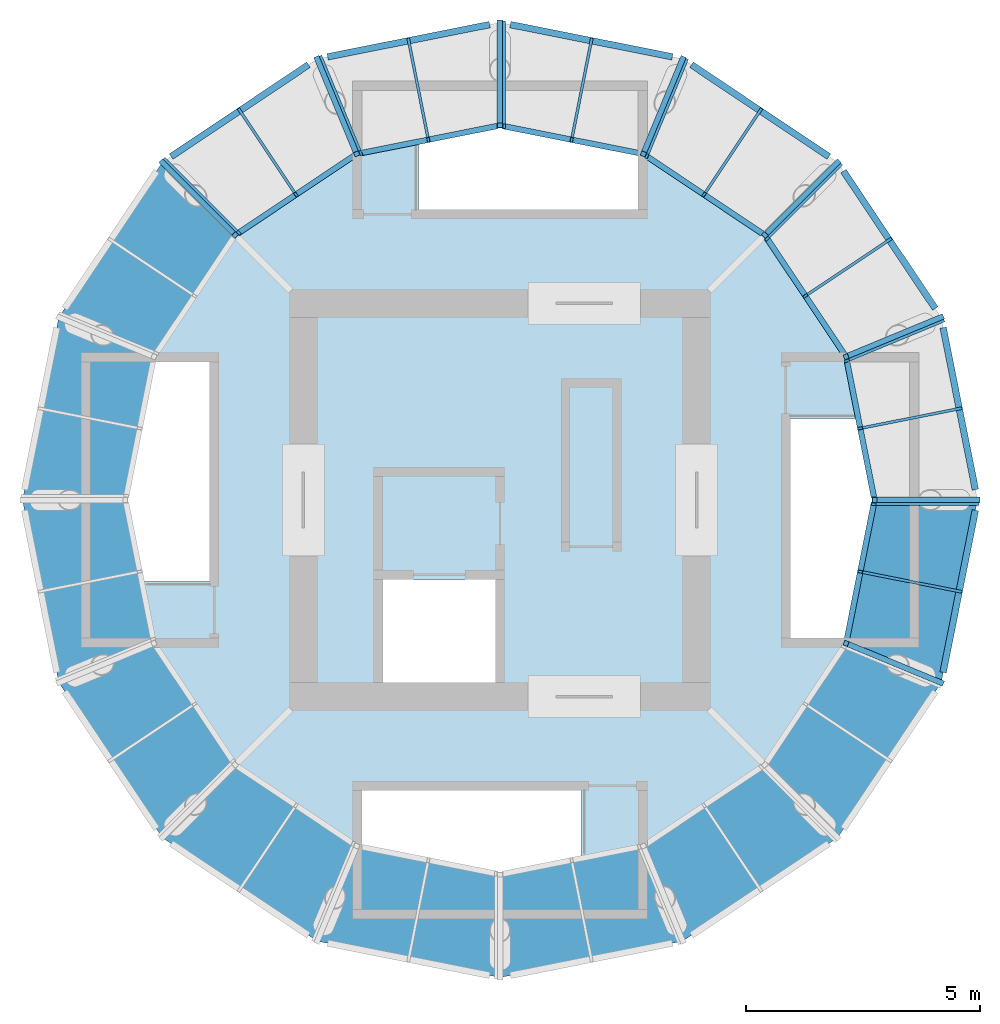
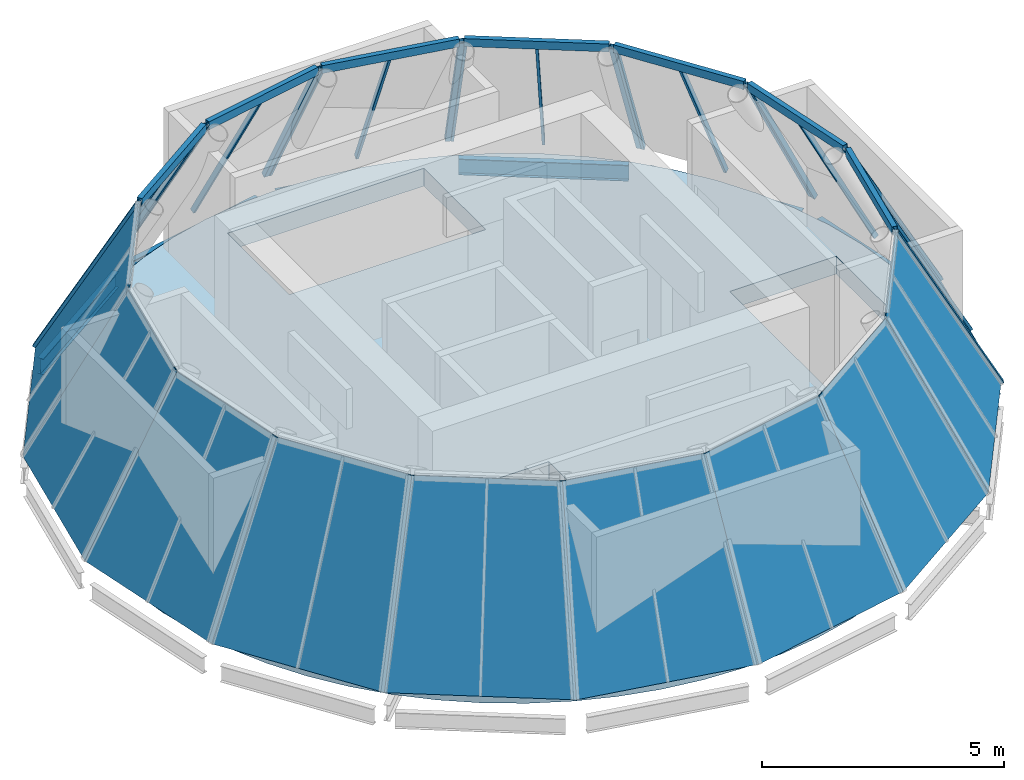
# One storey, part 2 of 4: 29 members, 10 plates, 7 beams, 1 slab, 16 elements without a shape of their own.
"""IFC4 building model written with IfcOpenShell, lengths in metres."""

from ifc_helpers import new_model, si_unit, direction, frame, origin, origin_2d, place, context, subcontext, project, spatial, polyline, hollow_rectangle, i_section, outline, extrude, material, layer, layer_set, material_profile, profile_set, type_object, element, aggregate, save


model = new_model("IFC4")

# Units and contexts
model_context = context("Model", 3, precision=1e-05, world=origin(), true_north=direction((0.0, 1.0)))
body_context = subcontext(model_context, "Body", "Model", "MODEL_VIEW")
ifc_project = project(units=[si_unit("LENGTHUNIT", "METRE"), si_unit("AREAUNIT", "SQUARE_METRE"), si_unit("VOLUMEUNIT", "CUBIC_METRE"), si_unit("PLANEANGLEUNIT", "RADIAN"), si_unit("MASSUNIT", "GRAM", prefix="KILO")], contexts=[model_context])

# Site, building, storey
site_placement = place(None, origin())
site = spatial("IfcSite", under=ifc_project, at=site_placement, CompositionType="ELEMENT")
building_placement = place(site_placement, origin())
building = spatial("IfcBuilding", under=site, at=building_placement, Name="Corvane Civic Tower", CompositionType="ELEMENT")
storey_placement = place(building_placement, frame((0.0, 0.0, 406.5)))
storey = spatial("IfcBuildingStorey", under=building, at=storey_placement, Name="L96", CompositionType="ELEMENT", Elevation=406.5)

# Curtain wall, members
ifc_material_1 = material(Name="Aluminium and glass", Category="aluminium")
curtain_wall_type = type_object("IfcCurtainWallType", Name="CROWN-CW-K-FACET", PredefinedType="NOTDEFINED", material=ifc_material_1)
curtain_wall_1_placement = place(storey_placement, origin())
curtain_wall_1 = element("IfcCurtainWall", 1, at=curtain_wall_1_placement, inside=storey, type_object=curtain_wall_type, Name="Glass cone facet 1 row 5", PredefinedType="NOTDEFINED")
ifc_material_2 = material(Name="Steel ASTM A500 Gr C", Category="steel")
ifc_material_profile_1 = material_profile(ifc_material_2, hollow_rectangle(XDim=0.06005859375, YDim=0.1201171875, WallThickness=0.0048828125, at=origin_2d()), Name="RHS 120x60x5")
ifc_profile_set_1 = profile_set([ifc_material_profile_1], Name="Steel ASTM A500 Gr C")
member_type_1 = type_object("IfcMemberType", Name="CROWN-CWK-MULLION-RHS120x60x5", PredefinedType="MULLION", material=ifc_profile_set_1)
member_1_placement = place(storey_placement, frame((-1.95166015625, 9.811767578125, 0.0), z_axis=(0.092610325998, -0.465630107742, 0.880120406696), x_axis=(0.980789012766, 0.195071557223, 0.0)))
member_1 = element("IfcMember", 2, at=member_1_placement, type_object=member_type_1, Name="Cone mullion 1.5M", PredefinedType="MULLION", context=body_context, shape_type="SweptSolid", body=[
    extrude(hollow_rectangle(XDim=0.06005859375, YDim=0.1201171875, WallThickness=0.0048828125, at=origin_2d()), origin(), (0.0, 0.0, 1.0), 4.544921875),
])
member_2_placement = place(storey_placement, frame((-3.81494140625, 9.441162109375, 0.0), z_axis=(0.184349241144, -0.445229890491, 0.876233816914), x_axis=(0.923931628801, 0.382557636574, 0.0)))
member_2 = element("IfcMember", 3, at=member_2_placement, type_object=member_type_1, Name="Cone mullion 1.5J", PredefinedType="MULLION", context=body_context, shape_type="SweptSolid", body=[
    extrude(hollow_rectangle(XDim=0.06005859375, YDim=0.1201171875, WallThickness=0.0048828125, at=origin_2d()), origin(), (0.0, 0.0, 1.0), 4.56494140625),
])

curtain_wall_2_placement = place(storey_placement, origin())
curtain_wall_2 = element("IfcCurtainWall", 4, at=curtain_wall_2_placement, inside=storey, type_object=curtain_wall_type, Name="Glass cone facet 2 row 5", PredefinedType="NOTDEFINED")
member_3_placement = place(storey_placement, frame((-5.557861328125, 8.318115234375, 0.0), z_axis=(0.263753171336, -0.394770276201, 0.880108341989), x_axis=(0.831492859823, 0.555535439071, 0.0)))
member_3 = element("IfcMember", 5, at=member_3_placement, type_object=member_type_1, Name="Cone mullion 2.5M", PredefinedType="MULLION", context=body_context, shape_type="SweptSolid", body=[
    extrude(hollow_rectangle(XDim=0.06005859375, YDim=0.1201171875, WallThickness=0.0048828125, at=origin_2d()), origin(), (0.0, 0.0, 1.0), 4.544921875),
])
member_4_placement = place(storey_placement, frame((-7.1376953125, 7.262451171875, 0.0), z_axis=(0.340820185373, -0.340766706606, 0.876196126966), x_axis=(0.707051297897, 0.707162260122, 0.0)))
member_4 = element("IfcMember", 6, at=member_4_placement, type_object=member_type_1, Name="Cone mullion 2.5J", PredefinedType="MULLION", context=body_context, shape_type="SweptSolid", body=[
    extrude(hollow_rectangle(XDim=0.06005859375, YDim=0.1201171875, WallThickness=0.0048828125, at=origin_2d()), origin(), (0.0, 0.0, 1.0), 4.565185546875),
])

curtain_wall_3_placement = place(storey_placement, origin())
curtain_wall_3 = element("IfcCurtainWall", 7, at=curtain_wall_3_placement, inside=storey, type_object=curtain_wall_type, Name="Glass cone facet 12 row 5", PredefinedType="NOTDEFINED")
member_5_placement = place(storey_placement, frame((9.811767578125, -1.95166015625, 0.0), z_axis=(-0.465630107742, 0.092610325998, 0.880120406696), x_axis=(-0.195071557223, -0.980789012766, 0.0)))
member_5 = element("IfcMember", 8, at=member_5_placement, type_object=member_type_1, Name="Cone mullion 12.5M", PredefinedType="MULLION", context=body_context, shape_type="SweptSolid", body=[
    extrude(hollow_rectangle(XDim=0.06005859375, YDim=0.1201171875, WallThickness=0.0048828125, at=origin_2d()), origin(), (0.0, 0.0, 1.0), 4.544921875),
])
member_6_placement = place(storey_placement, frame((10.182373046875, -0.08837890625, 0.0), z_axis=(-0.481910537812, 0.0, 0.876220425204), x_axis=(0.0, -1.0, 0.0)))
member_6 = element("IfcMember", 9, at=member_6_placement, type_object=member_type_1, Name="Cone mullion 12.5J", PredefinedType="MULLION", context=body_context, shape_type="SweptSolid", body=[
    extrude(hollow_rectangle(XDim=0.06005859375, YDim=0.1201171875, WallThickness=0.0048828125, at=origin_2d()), origin(), (0.0, 0.0, 1.0), 4.56494140625),
])

curtain_wall_4_placement = place(storey_placement, origin())
curtain_wall_4 = element("IfcCurtainWall", 10, at=curtain_wall_4_placement, inside=storey, type_object=curtain_wall_type, Name="Glass cone facet 13 row 5", PredefinedType="NOTDEFINED")
member_7_placement = place(storey_placement, frame((9.811767578125, 1.95166015625, 0.0), z_axis=(-0.465630107742, -0.092610325998, 0.880120406696), x_axis=(0.195071557223, -0.980789012766, 0.0)))
member_7 = element("IfcMember", 11, at=member_7_placement, type_object=member_type_1, Name="Cone mullion 13.5M", PredefinedType="MULLION", context=body_context, shape_type="SweptSolid", body=[
    extrude(hollow_rectangle(XDim=0.06005859375, YDim=0.1201171875, WallThickness=0.0048828125, at=origin_2d()), origin(), (0.0, 0.0, 1.0), 4.544921875),
])
member_8_placement = place(storey_placement, frame((9.441162109375, 3.81494140625, 0.0), z_axis=(-0.445229890491, -0.184349241144, 0.876233816914), x_axis=(0.382557636574, -0.923931628801, 0.0)))
member_8 = element("IfcMember", 12, at=member_8_placement, type_object=member_type_1, Name="Cone mullion 13.5J", PredefinedType="MULLION", context=body_context, shape_type="SweptSolid", body=[
    extrude(hollow_rectangle(XDim=0.06005859375, YDim=0.1201171875, WallThickness=0.0048828125, at=origin_2d()), origin(), (0.0, 0.0, 1.0), 4.56494140625),
])

curtain_wall_5_placement = place(storey_placement, origin())
curtain_wall_5 = element("IfcCurtainWall", 13, at=curtain_wall_5_placement, inside=storey, type_object=curtain_wall_type, Name="Glass cone facet 14 row 5", PredefinedType="NOTDEFINED")
member_9_placement = place(storey_placement, frame((8.318115234375, 5.557861328125, 0.0), z_axis=(-0.394770276201, -0.263753171336, 0.880108341989), x_axis=(0.555535439071, -0.831492859823, 0.0)))
member_9 = element("IfcMember", 14, at=member_9_placement, type_object=member_type_1, Name="Cone mullion 14.5M", PredefinedType="MULLION", context=body_context, shape_type="SweptSolid", body=[
    extrude(hollow_rectangle(XDim=0.06005859375, YDim=0.1201171875, WallThickness=0.0048828125, at=origin_2d()), origin(), (0.0, 0.0, 1.0), 4.544921875),
])
member_10_placement = place(storey_placement, frame((7.262451171875, 7.1376953125, 0.0), z_axis=(-0.340766706606, -0.340820185373, 0.876196126966), x_axis=(0.707162260122, -0.707051297897, 0.0)))
member_10 = element("IfcMember", 15, at=member_10_placement, type_object=member_type_1, Name="Cone mullion 14.5J", PredefinedType="MULLION", context=body_context, shape_type="SweptSolid", body=[
    extrude(hollow_rectangle(XDim=0.06005859375, YDim=0.1201171875, WallThickness=0.0048828125, at=origin_2d()), origin(), (0.0, 0.0, 1.0), 4.565185546875),
])

curtain_wall_6_placement = place(storey_placement, origin())
curtain_wall_6 = element("IfcCurtainWall", 16, at=curtain_wall_6_placement, inside=storey, type_object=curtain_wall_type, Name="Glass cone facet 15 row 5", PredefinedType="NOTDEFINED")
member_11_placement = place(storey_placement, frame((5.557861328125, 8.318115234375, 0.0), z_axis=(-0.263753171336, -0.394770276201, 0.880108341989), x_axis=(0.831492859823, -0.555535439071, 0.0)))
member_11 = element("IfcMember", 17, at=member_11_placement, type_object=member_type_1, Name="Cone mullion 15.5M", PredefinedType="MULLION", context=body_context, shape_type="SweptSolid", body=[
    extrude(hollow_rectangle(XDim=0.06005859375, YDim=0.1201171875, WallThickness=0.0048828125, at=origin_2d()), origin(), (0.0, 0.0, 1.0), 4.544921875),
])
member_12_placement = place(storey_placement, frame((3.978271484375, 9.37353515625, 0.0), z_axis=(-0.184400903913, -0.445225500311, 0.876225176829), x_axis=(0.923892397959, -0.38265237095, 0.0)))
member_12 = element("IfcMember", 18, at=member_12_placement, type_object=member_type_1, Name="Cone mullion 15.5J", PredefinedType="MULLION", context=body_context, shape_type="SweptSolid", body=[
    extrude(hollow_rectangle(XDim=0.06005859375, YDim=0.1201171875, WallThickness=0.0048828125, at=origin_2d()), origin(), (0.0, 0.0, 1.0), 4.56494140625),
])

curtain_wall_7_placement = place(storey_placement, origin())
curtain_wall_7 = element("IfcCurtainWall", 19, at=curtain_wall_7_placement, inside=storey, type_object=curtain_wall_type, Name="Glass cone facet 16 row 5", PredefinedType="NOTDEFINED")
member_13_placement = place(storey_placement, frame((1.95166015625, 9.811767578125, 0.0), z_axis=(-0.092610325998, -0.465630107742, 0.880120406696), x_axis=(0.980789012766, -0.195071557223, 0.0)))
member_13 = element("IfcMember", 20, at=member_13_placement, type_object=member_type_1, Name="Cone mullion 16.5M", PredefinedType="MULLION", context=body_context, shape_type="SweptSolid", body=[
    extrude(hollow_rectangle(XDim=0.06005859375, YDim=0.1201171875, WallThickness=0.0048828125, at=origin_2d()), origin(), (0.0, 0.0, 1.0), 4.544921875),
])
member_14_placement = place(storey_placement, frame((0.08837890625, 10.182373046875, 0.0), z_axis=(0.0, -0.481910537812, 0.876220425204), x_axis=(1.0, 0.0, 0.0)))
member_14 = element("IfcMember", 21, at=member_14_placement, type_object=member_type_1, Name="Cone mullion 16.5J", PredefinedType="MULLION", context=body_context, shape_type="SweptSolid", body=[
    extrude(hollow_rectangle(XDim=0.06005859375, YDim=0.1201171875, WallThickness=0.0048828125, at=origin_2d()), origin(), (0.0, 0.0, 1.0), 4.56494140625),
])

# Member
ifc_material_3 = material(Name="Steel ASTM A500 Gr C", Category="steel")
ifc_material_profile_2 = material_profile(ifc_material_3, hollow_rectangle(XDim=0.1201171875, YDim=0.1201171875, WallThickness=0.006103515625, at=origin_2d()), Name="RHS 120x120x6")
ifc_profile_set_2 = profile_set([ifc_material_profile_2], Name="Steel ASTM A500 Gr C")
member_type_2 = type_object("IfcMemberType", Name="CROWN-CWK-RIB-RHS120x120x6", PredefinedType="MULLION", material=ifc_profile_set_2)
member_15_placement = place(storey_placement, frame((0.0, 10.199951171875, 0.0), z_axis=(0.0, -0.481910537812, 0.876220425204), x_axis=(1.0, 0.0, 0.0)))
member_15 = element("IfcMember", 22, at=member_15_placement, type_object=member_type_2, Name="Cone rib 1.5", PredefinedType="MULLION", context=body_context, shape_type="SweptSolid", body=[
    extrude(hollow_rectangle(XDim=0.1201171875, YDim=0.1201171875, WallThickness=0.006103515625, at=origin_2d()), origin(), (0.0, 0.0, 1.0), 4.56494140625),
])

member_16_placement = place(storey_placement, frame((-3.9033203125, 9.423583984375, 0.0), z_axis=(0.184400903913, -0.445225500311, 0.876225176829), x_axis=(0.923892397959, 0.38265237095, 0.0)))
member_16 = element("IfcMember", 23, at=member_16_placement, type_object=member_type_2, Name="Cone rib 2.5", PredefinedType="MULLION", context=body_context, shape_type="SweptSolid", body=[
    extrude(hollow_rectangle(XDim=0.1201171875, YDim=0.1201171875, WallThickness=0.006103515625, at=origin_2d()), origin(), (0.0, 0.0, 1.0), 4.56494140625),
])

# Curtain wall, member
curtain_wall_8_placement = place(storey_placement, origin())
curtain_wall_8 = element("IfcCurtainWall", 24, at=curtain_wall_8_placement, inside=storey, type_object=curtain_wall_type, Name="Glass cone facet 3 row 5", PredefinedType="NOTDEFINED")
member_17_placement = place(storey_placement, frame((-7.21240234375, 7.21240234375, 0.0), z_axis=(0.340772917322, -0.340772917322, 0.876212096264), x_axis=(0.707106781187, 0.707106781187, 0.0)))
member_17 = element("IfcMember", 25, at=member_17_placement, type_object=member_type_2, Name="Cone rib 3.5", PredefinedType="MULLION", context=body_context, shape_type="SweptSolid", body=[
    extrude(hollow_rectangle(XDim=0.1201171875, YDim=0.1201171875, WallThickness=0.006103515625, at=origin_2d()), origin(), (0.0, 0.0, 1.0), 4.565185546875),
])

# Member
member_18_placement = place(storey_placement, frame((9.423583984375, -3.9033203125, 0.0), z_axis=(-0.445225500311, 0.184400903913, 0.876225176829), x_axis=(-0.38265237095, -0.923892397959, 0.0)))
member_18 = element("IfcMember", 26, at=member_18_placement, type_object=member_type_2, Name="Cone rib 12.5", PredefinedType="MULLION", context=body_context, shape_type="SweptSolid", body=[
    extrude(hollow_rectangle(XDim=0.1201171875, YDim=0.1201171875, WallThickness=0.006103515625, at=origin_2d()), origin(), (0.0, 0.0, 1.0), 4.56494140625),
])

member_19_placement = place(storey_placement, frame((10.199951171875, 0.0, 0.0), z_axis=(-0.481910537812, 0.0, 0.876220425204), x_axis=(0.0, -1.0, 0.0)))
member_19 = element("IfcMember", 27, at=member_19_placement, type_object=member_type_2, Name="Cone rib 13.5", PredefinedType="MULLION", context=body_context, shape_type="SweptSolid", body=[
    extrude(hollow_rectangle(XDim=0.1201171875, YDim=0.1201171875, WallThickness=0.006103515625, at=origin_2d()), origin(), (0.0, 0.0, 1.0), 4.56494140625),
])

member_20_placement = place(storey_placement, frame((9.423583984375, 3.9033203125, 0.0), z_axis=(-0.445225500311, -0.184400903913, 0.876225176829), x_axis=(0.38265237095, -0.923892397959, 0.0)))
member_20 = element("IfcMember", 28, at=member_20_placement, type_object=member_type_2, Name="Cone rib 14.5", PredefinedType="MULLION", context=body_context, shape_type="SweptSolid", body=[
    extrude(hollow_rectangle(XDim=0.1201171875, YDim=0.1201171875, WallThickness=0.006103515625, at=origin_2d()), origin(), (0.0, 0.0, 1.0), 4.56494140625),
])

member_21_placement = place(storey_placement, frame((7.21240234375, 7.21240234375, 0.0), z_axis=(-0.340772917322, -0.340772917322, 0.876212096264), x_axis=(0.707106781187, -0.707106781187, 0.0)))
member_21 = element("IfcMember", 29, at=member_21_placement, type_object=member_type_2, Name="Cone rib 15.5", PredefinedType="MULLION", context=body_context, shape_type="SweptSolid", body=[
    extrude(hollow_rectangle(XDim=0.1201171875, YDim=0.1201171875, WallThickness=0.006103515625, at=origin_2d()), origin(), (0.0, 0.0, 1.0), 4.565185546875),
])

member_22_placement = place(storey_placement, frame((3.9033203125, 9.423583984375, 0.0), z_axis=(-0.184400903913, -0.445225500311, 0.876225176829), x_axis=(0.923892397959, -0.38265237095, 0.0)))
member_22 = element("IfcMember", 30, at=member_22_placement, type_object=member_type_2, Name="Cone rib 16.5", PredefinedType="MULLION", context=body_context, shape_type="SweptSolid", body=[
    extrude(hollow_rectangle(XDim=0.1201171875, YDim=0.1201171875, WallThickness=0.006103515625, at=origin_2d()), origin(), (0.0, 0.0, 1.0), 4.56494140625),
])

ifc_material_4 = material(Name="Steel ASTM A500 Gr C", Category="steel")
ifc_material_profile_3 = material_profile(ifc_material_4, hollow_rectangle(XDim=0.1201171875, YDim=0.199951171875, WallThickness=0.006103515625, at=origin_2d()), Name="RHS 200x120x6")
ifc_profile_set_3 = profile_set([ifc_material_profile_3], Name="Steel ASTM A500 Gr C")
member_type_3 = type_object("IfcMemberType", Name="CROWN-CWK-RING-RHS200x120x6", PredefinedType="USERDEFINED", material=ifc_profile_set_3)
member_23_placement = place(storey_placement, frame((-0.058837890625, 7.98828125, 4.0), z_axis=(-0.980792833114, -0.195052348135, 0.0), x_axis=(0.195052348135, -0.980792833114, 0.0)))
member_23 = element("IfcMember", 31, at=member_23_placement, type_object=member_type_3, Name="Cone ring member 1.5", ObjectType="TRANSOM", PredefinedType="USERDEFINED", context=body_context, shape_type="SweptSolid", body=[
    extrude(hollow_rectangle(XDim=0.1201171875, YDim=0.199951171875, WallThickness=0.006103515625, at=origin_2d()), origin(), (0.0, 0.0, 1.0), 3.00146484375),
])

aggregate(curtain_wall_1, [member_15, member_23, member_1, member_2])

member_24_placement = place(storey_placement, frame((-3.111328125, 7.35791015625, 4.0), z_axis=(-0.831436622917, -0.555619601951, 0.0), x_axis=(0.555619601951, -0.831436622917, 0.0)))
member_24 = element("IfcMember", 32, at=member_24_placement, type_object=member_type_3, Name="Cone ring member 2.5", ObjectType="TRANSOM", PredefinedType="USERDEFINED", context=body_context, shape_type="SweptSolid", body=[
    extrude(hollow_rectangle(XDim=0.1201171875, YDim=0.199951171875, WallThickness=0.006103515625, at=origin_2d()), origin(), (0.0, 0.0, 1.0), 3.00146484375),
])

aggregate(curtain_wall_2, [member_16, member_24, member_3, member_4])

member_25_placement = place(storey_placement, frame((7.40283203125, -3.002685546875, 4.0), z_axis=(0.195052348135, 0.980792833114, 0.0), x_axis=(-0.980792833114, 0.195052348135, 0.0)))
member_25 = element("IfcMember", 33, at=member_25_placement, type_object=member_type_3, Name="Cone ring member 12.5", ObjectType="TRANSOM", PredefinedType="USERDEFINED", context=body_context, shape_type="SweptSolid", body=[
    extrude(hollow_rectangle(XDim=0.1201171875, YDim=0.199951171875, WallThickness=0.006103515625, at=origin_2d()), origin(), (0.0, 0.0, 1.0), 3.00146484375),
])

member_26_placement = place(storey_placement, frame((7.98828125, 0.058837890625, 4.0), z_axis=(-0.195052348135, 0.980792833114, 0.0), x_axis=(-0.980792833114, -0.195052348135, 0.0)))
member_26 = element("IfcMember", 34, at=member_26_placement, type_object=member_type_3, Name="Cone ring member 13.5", ObjectType="TRANSOM", PredefinedType="USERDEFINED", context=body_context, shape_type="SweptSolid", body=[
    extrude(hollow_rectangle(XDim=0.1201171875, YDim=0.199951171875, WallThickness=0.006103515625, at=origin_2d()), origin(), (0.0, 0.0, 1.0), 3.00146484375),
])

aggregate(curtain_wall_4, [member_19, member_26, member_7, member_8])

member_27_placement = place(storey_placement, frame((7.35791015625, 3.111328125, 4.0), z_axis=(-0.555619601951, 0.831436622917, 0.0), x_axis=(-0.831436622917, -0.555619601951, 0.0)))
member_27 = element("IfcMember", 35, at=member_27_placement, type_object=member_type_3, Name="Cone ring member 14.5", ObjectType="TRANSOM", PredefinedType="USERDEFINED", context=body_context, shape_type="SweptSolid", body=[
    extrude(hollow_rectangle(XDim=0.1201171875, YDim=0.199951171875, WallThickness=0.006103515625, at=origin_2d()), origin(), (0.0, 0.0, 1.0), 3.00146484375),
])

aggregate(curtain_wall_5, [member_20, member_27, member_9, member_10])

member_28_placement = place(storey_placement, frame((5.60693359375, 5.690185546875, 4.0), z_axis=(-0.831436622917, 0.555619601951, 0.0), x_axis=(-0.555619601951, -0.831436622917, 0.0)))
member_28 = element("IfcMember", 36, at=member_28_placement, type_object=member_type_3, Name="Cone ring member 15.5", ObjectType="TRANSOM", PredefinedType="USERDEFINED", context=body_context, shape_type="SweptSolid", body=[
    extrude(hollow_rectangle(XDim=0.1201171875, YDim=0.199951171875, WallThickness=0.006103515625, at=origin_2d()), origin(), (0.0, 0.0, 1.0), 3.00146484375),
])

aggregate(curtain_wall_6, [member_21, member_28, member_11, member_12])

member_29_placement = place(storey_placement, frame((3.002685546875, 7.40283203125, 4.0), z_axis=(-0.980792833114, 0.195052348135, 0.0), x_axis=(-0.195052348135, -0.980792833114, 0.0)))
member_29 = element("IfcMember", 37, at=member_29_placement, type_object=member_type_3, Name="Cone ring member 16.5", ObjectType="TRANSOM", PredefinedType="USERDEFINED", context=body_context, shape_type="SweptSolid", body=[
    extrude(hollow_rectangle(XDim=0.1201171875, YDim=0.199951171875, WallThickness=0.006103515625, at=origin_2d()), origin(), (0.0, 0.0, 1.0), 3.00146484375),
])

aggregate(curtain_wall_7, [member_22, member_29, member_13, member_14])

# Beams
ifc_material_5 = material(Name="Steel ASTM A992 Gr 50", Category="steel")
ifc_material_profile_4 = material_profile(ifc_material_5, i_section(OverallWidth=0.140380859375, OverallDepth=0.40380859375, WebThickness=0.007080078125, FlangeThickness=0.01123046875, at=origin_2d()), Name="W16X31")
ifc_profile_set_4 = profile_set([ifc_material_profile_4], Name="Steel ASTM A992 Gr 50")
beam_type = type_object("IfcBeamType", Name="EDGE BEAM W16X31", PredefinedType="BEAM", material=ifc_profile_set_4)
for number, where, z_axis, x_axis, name in (
    (38, (0.220703125, 10.15380859375, -0.65185546875), (0.980785024027, -0.195091610902, 0.0), (0.195091610902, 0.980785024027, 0.0), "BM-L96-E01"),
    (39, (4.089599609375, 9.29638671875, -0.65185546875), (0.831496425532, -0.55553010209, 0.0), (0.55553010209, 0.831496425532, 0.0), "BM-L96-E02"),
    (40, (7.3359375, 7.02392578125, -0.65185546875), (0.55553010209, -0.831496425532, 0.0), (0.831496425532, 0.55553010209, 0.0), "BM-L96-E03"),
    (41, (9.46533203125, 3.681884765625, -0.65185546875), (0.195091610902, -0.980785024027, 0.0), (0.980785024027, 0.195091610902, 0.0), "BM-L96-E04"),
    (42, (10.15380859375, -0.220703125, -0.65185546875), (-0.195091610902, -0.980785024027, 0.0), (0.980785024027, -0.195091610902, 0.0), "BM-L96-E05"),
    (43, (-7.02392578125, 7.3359375, -0.65185546875), (0.831496425532, 0.55553010209, 0.0), (-0.55553010209, 0.831496425532, 0.0), "BM-L96-E15"),
    (44, (-3.681884765625, 9.46533203125, -0.65185546875), (0.980785024027, 0.195091610902, 0.0), (-0.195091610902, 0.980785024027, 0.0), "BM-L96-E16"),
):
    element("IfcBeam", number, at=place(storey_placement, frame(where, z_axis=z_axis, x_axis=x_axis)), inside=storey, type_object=beam_type, Name=name, PredefinedType="BEAM", context=body_context, shape_type="SweptSolid", body=[
        extrude(i_section(OverallWidth=0.140380859375, OverallDepth=0.40380859375, WebThickness=0.007080078125, FlangeThickness=0.01123046875, at=origin_2d()), origin(), (0.0, 0.0, 1.0), 3.529052734375),
    ])

# Plate
ifc_material_6 = material(Name="Glass tinted low-e laminated", Category="glass")
ifc_layer_1 = layer(ifc_material_6, 0.030029296875)
ifc_layer_set_1 = layer_set([ifc_layer_1], Name="Glass tinted low-e laminated")
plate_type = type_object("IfcPlateType", Name="CROWN-CWK-PANEL-IGU30", PredefinedType="CURTAIN_PANEL", material=ifc_layer_set_1)
plate_1_placement = place(storey_placement, frame((-7.21240234375, 7.21240234375, 0.0), z_axis=(-0.731770546437, 0.488986719081, 0.474767159701), x_axis=(-0.555595321517, -0.831452848154, 2.334333e-06)))
plate_1 = element("IfcPlate", 45, at=plate_1_placement, type_object=plate_type, Name="Cone glass panel 3.5", PredefinedType="CURTAIN_PANEL", context=body_context, shape_type="SweptSolid", body=[
    extrude(outline(polyline([(0.0, 0.0), (3.9798678542127224, 3.3306690738754696e-16), (3.5507633784730603, 4.544869588841189), (0.42915097789219697, 4.544888424207931), (0.0, 0.0)])), origin(), (0.0, 0.0, -1.0), 0.030029296875),
])

aggregate(curtain_wall_8, [member_17, plate_1])

# Curtain wall, plate
curtain_wall_9_placement = place(storey_placement, origin())
curtain_wall_9 = element("IfcCurtainWall", 46, at=curtain_wall_9_placement, inside=storey, type_object=curtain_wall_type, Name="Glass cone facet 4 row 5", PredefinedType="NOTDEFINED")
plate_2_placement = place(storey_placement, frame((-9.423583984375, 3.9033203125, 0.0), z_axis=(-0.863212451514, 0.171686323959, 0.474750534194), x_axis=(-0.195072862946, -0.980788753063, -2.756509e-06)))
plate_2 = element("IfcPlate", 47, at=plate_2_placement, type_object=plate_type, Name="Cone glass panel 4.5", PredefinedType="CURTAIN_PANEL", context=body_context, shape_type="SweptSolid", body=[
    extrude(outline(polyline([(0.0, 0.0), (3.9797808320644745, -5.551115123125783e-17), (3.5506190325877, 4.544843815574974), (0.429134002413225, 4.544821574634152), (0.0, 0.0)])), origin(), (0.0, 0.0, -1.0), 0.030029296875),
])
aggregate(curtain_wall_9, [plate_2])

curtain_wall_10_placement = place(storey_placement, origin())
curtain_wall_10 = element("IfcCurtainWall", 48, at=curtain_wall_10_placement, inside=storey, type_object=curtain_wall_type, Name="Glass cone facet 5 row 5", PredefinedType="NOTDEFINED")
plate_3_placement = place(storey_placement, frame((-10.199951171875, 0.0, 0.0), z_axis=(-0.863212451514, -0.171686323959, 0.474750534194), x_axis=(0.195072862946, -0.980788753063, 2.756509e-06)))
plate_3 = element("IfcPlate", 49, at=plate_3_placement, type_object=plate_type, Name="Cone glass panel 5.5", PredefinedType="CURTAIN_PANEL", context=body_context, shape_type="SweptSolid", body=[
    extrude(outline(polyline([(0.0, 0.0), (3.9797808320644745, 5.551115123125783e-17), (3.55064682965125, 4.544821574634152), (0.42916179947677474, 4.544843815574974), (0.0, 0.0)])), origin(), (0.0, 0.0, -1.0), 0.030029296875),
])
aggregate(curtain_wall_10, [plate_3])

curtain_wall_11_placement = place(storey_placement, origin())
curtain_wall_11 = element("IfcCurtainWall", 50, at=curtain_wall_11_placement, inside=storey, type_object=curtain_wall_type, Name="Glass cone facet 6 row 5", PredefinedType="NOTDEFINED")
plate_4_placement = place(storey_placement, frame((-9.423583984375, -3.9033203125, 0.0), z_axis=(-0.731788126889, -0.488988427495, 0.47473830172), x_axis=(0.555589213303, -0.831456929768, 1.628489e-06)))
plate_4 = element("IfcPlate", 51, at=plate_4_placement, type_object=plate_type, Name="Cone glass panel 6.5", PredefinedType="CURTAIN_PANEL", context=body_context, shape_type="SweptSolid", body=[
    extrude(outline(polyline([(0.0, 0.0), (3.9798678542374133, -1.1102230246251565e-16), (3.550581233787865, 4.54479205311269), (0.4293074677913615, 4.544805192275395), (0.0, 0.0)])), origin(), (0.0, 0.0, -1.0), 0.030029296875),
])
aggregate(curtain_wall_11, [plate_4])

curtain_wall_12_placement = place(storey_placement, origin())
curtain_wall_12 = element("IfcCurtainWall", 52, at=curtain_wall_12_placement, inside=storey, type_object=curtain_wall_type, Name="Glass cone facet 7 row 5", PredefinedType="NOTDEFINED")
plate_5_placement = place(storey_placement, frame((-7.21240234375, -7.21240234375, 0.0), z_axis=(-0.488986719081, -0.731770546437, 0.474767159701), x_axis=(0.831452848154, -0.555595321517, 2.334333e-06)))
plate_5 = element("IfcPlate", 53, at=plate_5_placement, type_object=plate_type, Name="Cone glass panel 7.5", PredefinedType="CURTAIN_PANEL", context=body_context, shape_type="SweptSolid", body=[
    extrude(outline(polyline([(0.0, 0.0), (3.9798678542127224, 3.3306690738754696e-16), (3.5507633784730603, 4.544869588841189), (0.42915097789219697, 4.544888424207931), (0.0, 0.0)])), origin(), (0.0, 0.0, -1.0), 0.030029296875),
])
aggregate(curtain_wall_12, [plate_5])

curtain_wall_13_placement = place(storey_placement, origin())
curtain_wall_13 = element("IfcCurtainWall", 54, at=curtain_wall_13_placement, inside=storey, type_object=curtain_wall_type, Name="Glass cone facet 8 row 5", PredefinedType="NOTDEFINED")
plate_6_placement = place(storey_placement, frame((-3.9033203125, -9.423583984375, 0.0), z_axis=(-0.171686323959, -0.863212451514, 0.474750534194), x_axis=(0.980788753063, -0.195072862946, -2.756509e-06)))
plate_6 = element("IfcPlate", 55, at=plate_6_placement, type_object=plate_type, Name="Cone glass panel 8.5", PredefinedType="CURTAIN_PANEL", context=body_context, shape_type="SweptSolid", body=[
    extrude(outline(polyline([(0.0, 0.0), (3.9797808320644745, -5.551115123125783e-17), (3.5506190325877, 4.544843815574974), (0.429134002413225, 4.544821574634152), (0.0, 0.0)])), origin(), (0.0, 0.0, -1.0), 0.030029296875),
])
aggregate(curtain_wall_13, [plate_6])

curtain_wall_14_placement = place(storey_placement, origin())
curtain_wall_14 = element("IfcCurtainWall", 56, at=curtain_wall_14_placement, inside=storey, type_object=curtain_wall_type, Name="Glass cone facet 9 row 5", PredefinedType="NOTDEFINED")
plate_7_placement = place(storey_placement, frame((0.0, -10.199951171875, 0.0), z_axis=(0.171686323959, -0.863212451514, 0.474750534194), x_axis=(0.980788753063, 0.195072862946, 2.756509e-06)))
plate_7 = element("IfcPlate", 57, at=plate_7_placement, type_object=plate_type, Name="Cone glass panel 9.5", PredefinedType="CURTAIN_PANEL", context=body_context, shape_type="SweptSolid", body=[
    extrude(outline(polyline([(0.0, 0.0), (3.9797808320644745, 5.551115123125783e-17), (3.55064682965125, 4.544821574634152), (0.42916179947677474, 4.544843815574974), (0.0, 0.0)])), origin(), (0.0, 0.0, -1.0), 0.030029296875),
])
aggregate(curtain_wall_14, [plate_7])

curtain_wall_15_placement = place(storey_placement, origin())
curtain_wall_15 = element("IfcCurtainWall", 58, at=curtain_wall_15_placement, inside=storey, type_object=curtain_wall_type, Name="Glass cone facet 10 row 5", PredefinedType="NOTDEFINED")
plate_8_placement = place(storey_placement, frame((3.9033203125, -9.423583984375, 0.0), z_axis=(0.488988427495, -0.731788126889, 0.47473830172), x_axis=(0.831456929768, 0.555589213303, 1.628489e-06)))
plate_8 = element("IfcPlate", 59, at=plate_8_placement, type_object=plate_type, Name="Cone glass panel 10.5", PredefinedType="CURTAIN_PANEL", context=body_context, shape_type="SweptSolid", body=[
    extrude(outline(polyline([(0.0, 0.0), (3.9798678542374133, -1.1102230246251565e-16), (3.550581233787865, 4.54479205311269), (0.4293074677913615, 4.544805192275395), (0.0, 0.0)])), origin(), (0.0, 0.0, -1.0), 0.030029296875),
])
aggregate(curtain_wall_15, [plate_8])

curtain_wall_16_placement = place(storey_placement, origin())
curtain_wall_16 = element("IfcCurtainWall", 60, at=curtain_wall_16_placement, inside=storey, type_object=curtain_wall_type, Name="Glass cone facet 11 row 5", PredefinedType="NOTDEFINED")
plate_9_placement = place(storey_placement, frame((7.21240234375, -7.21240234375, 0.0), z_axis=(0.731770546437, -0.488986719081, 0.474767159701), x_axis=(0.555595321517, 0.831452848154, 2.334333e-06)))
plate_9 = element("IfcPlate", 61, at=plate_9_placement, type_object=plate_type, Name="Cone glass panel 11.5", PredefinedType="CURTAIN_PANEL", context=body_context, shape_type="SweptSolid", body=[
    extrude(outline(polyline([(0.0, 0.0), (3.9798678542127224, 3.3306690738754696e-16), (3.5507633784730603, 4.544869588841189), (0.42915097789219697, 4.544888424207931), (0.0, 0.0)])), origin(), (0.0, 0.0, -1.0), 0.030029296875),
])
aggregate(curtain_wall_16, [plate_9])

# Plate
plate_10_placement = place(storey_placement, frame((9.423583984375, -3.9033203125, 0.0), z_axis=(0.863212451514, -0.171686323959, 0.474750534194), x_axis=(0.195072862946, 0.980788753063, -2.756509e-06)))
plate_10 = element("IfcPlate", 62, at=plate_10_placement, type_object=plate_type, Name="Cone glass panel 12.5", PredefinedType="CURTAIN_PANEL", context=body_context, shape_type="SweptSolid", body=[
    extrude(outline(polyline([(0.0, 0.0), (3.9797808320644745, -5.551115123125783e-17), (3.5506190325877, 4.544843815574974), (0.429134002413225, 4.544821574634152), (0.0, 0.0)])), origin(), (0.0, 0.0, -1.0), 0.030029296875),
])

aggregate(curtain_wall_3, [member_18, member_25, member_5, member_6, plate_10])

# Slab
ifc_material_7 = material(Name="Concrete C50/60", Category="concrete")
ifc_layer_2 = layer(ifc_material_7, 0.449951171875)
ifc_layer_set_2 = layer_set([ifc_layer_2], Name="Concrete C50/60")
slab_type = type_object("IfcSlabType", Name="TRANSFER FLOOR SLAB 450", PredefinedType="FLOOR", material=ifc_layer_set_2)
slab_placement = place(storey_placement, frame((0.0, 0.0, -0.449951171875)))
element("IfcSlab", 63, at=slab_placement, inside=storey, type_object=slab_type, Name="SLB-L96", PredefinedType="FLOOR", context=body_context, shape_type="SweptSolid", body=[
    extrude(outline(polyline([(0.0, 9.60009765625), (-0.94091796875, 9.5537109375), (-1.872802734375, 9.41552734375), (-2.78662109375, 9.1865234375), (-3.673828125, 8.869140625), (-4.525390625, 8.466552734375), (-5.33349609375, 7.982177734375), (-6.090087890625, 7.4208984375), (-6.788330078125, 6.788330078125), (-7.4208984375, 6.090087890625), (-7.982177734375, 5.33349609375), (-8.466552734375, 4.525390625), (-8.869140625, 3.673828125), (-9.1865234375, 2.78662109375), (-9.41552734375, 1.872802734375), (-9.5537109375, 0.94091796875), (-9.60009765625, 0.0), (-9.5537109375, -0.94091796875), (-9.41552734375, -1.872802734375), (-9.1865234375, -2.78662109375), (-8.869140625, -3.673828125), (-8.466552734375, -4.525390625), (-7.982177734375, -5.33349609375), (-7.4208984375, -6.090087890625), (-6.788330078125, -6.788330078125), (-6.090087890625, -7.4208984375), (-5.33349609375, -7.982177734375), (-4.525390625, -8.466552734375), (-3.673828125, -8.869140625), (-2.78662109375, -9.1865234375), (-1.872802734375, -9.41552734375), (-0.94091796875, -9.5537109375), (0.0, -9.60009765625), (0.94091796875, -9.5537109375), (1.872802734375, -9.41552734375), (2.78662109375, -9.1865234375), (3.673828125, -8.869140625), (4.525390625, -8.466552734375), (5.33349609375, -7.982177734375), (6.090087890625, -7.4208984375), (6.788330078125, -6.788330078125), (7.4208984375, -6.090087890625), (7.982177734375, -5.33349609375), (8.466552734375, -4.525390625), (8.869140625, -3.673828125), (9.1865234375, -2.78662109375), (9.41552734375, -1.872802734375), (9.5537109375, -0.94091796875), (9.60009765625, 0.0), (9.5537109375, 0.94091796875), (9.41552734375, 1.872802734375), (9.1865234375, 2.78662109375), (8.869140625, 3.673828125), (8.466552734375, 4.525390625), (7.982177734375, 5.33349609375), (7.4208984375, 6.090087890625), (6.788330078125, 6.788330078125), (6.090087890625, 7.4208984375), (5.33349609375, 7.982177734375), (4.525390625, 8.466552734375), (3.673828125, 8.869140625), (2.78662109375, 9.1865234375), (1.872802734375, 9.41552734375), (0.94091796875, 9.5537109375), (0.0, 9.60009765625)]), holes=[polyline([(-2.5, -3.89990234375), (-2.5, -1.699951171875), (-0.10009765625, -1.699951171875), (-0.10009765625, -3.89990234375), (-2.5, -3.89990234375)]), polyline([(6.199951171875, 1.739990234375), (8.75, 1.739990234375), (8.75, -2.949951171875), (6.199951171875, -2.949951171875), (6.199951171875, 1.739990234375)]), polyline([(-1.739990234375, 6.199951171875), (-1.739990234375, 8.75), (2.949951171875, 8.75), (2.949951171875, 6.199951171875), (-1.739990234375, 6.199951171875)]), polyline([(-6.199951171875, -1.739990234375), (-8.75, -1.739990234375), (-8.75, 2.949951171875), (-6.199951171875, 2.949951171875), (-6.199951171875, -1.739990234375)]), polyline([(1.739990234375, -6.199951171875), (1.739990234375, -8.75), (-2.949951171875, -8.75), (-2.949951171875, -6.199951171875), (1.739990234375, -6.199951171875)])]), origin(), (0.0, 0.0, 1.0), 0.449951171875),
])

save(model, "model.ifc")
